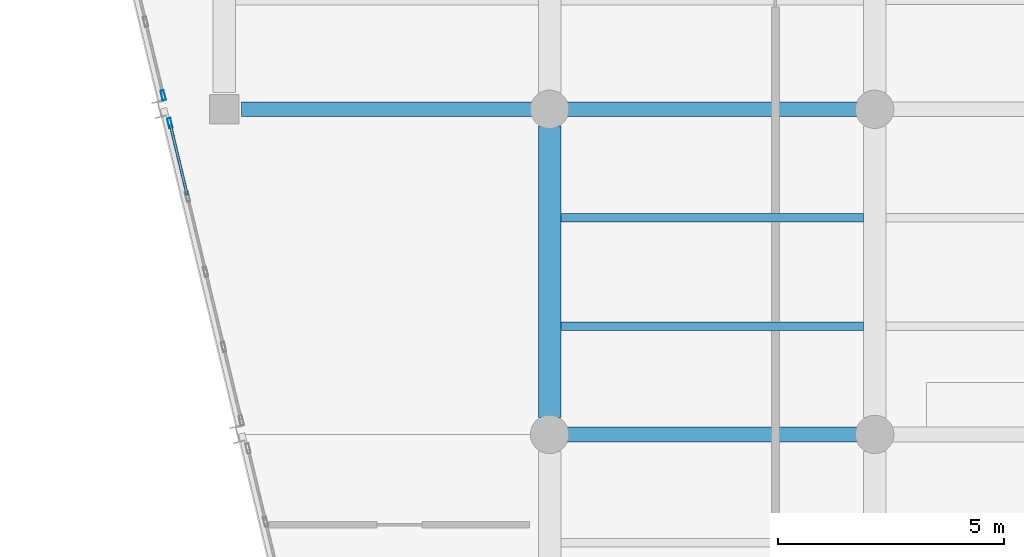
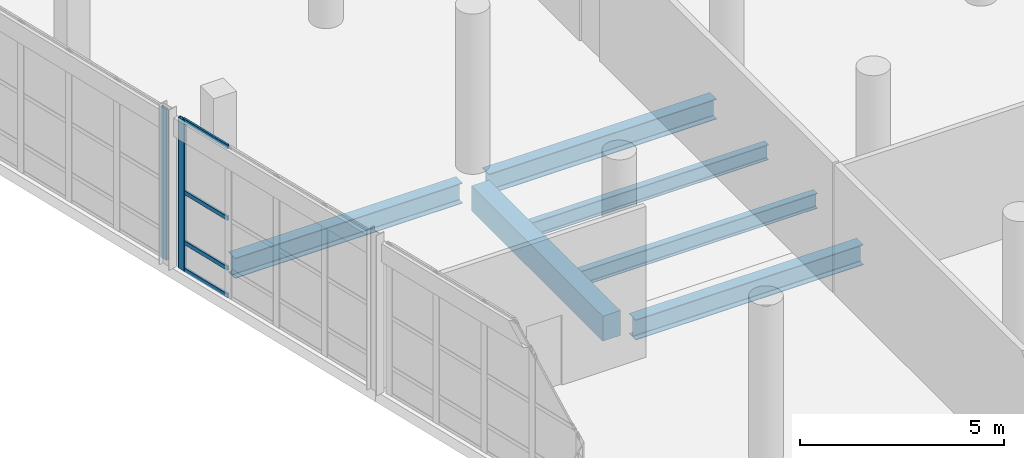
# One storey, part 68 of 127: 6 beams, 6 members, 2 elements without a shape of their own.
"""IFC4 building model written with IfcOpenShell, lengths in metres."""

import ifcopenshell
import ifcopenshell.guid

model = None  # the IFC model being written
_history = None  # IfcOwnerHistory: only IFC2X3 demands one
_inside = {}  # id of a spatial element -> (the spatial element, [elements in it])
_under = {}  # id of a project, library or spatial element -> (it, [spatial elements below it])
_declared = {}  # id of a project -> (the project, [libraries it declares])
_typed = {}  # id of a type object -> (the type object, [elements of that type])
_made_of = {}  # id of a material, layer set ... -> (it, [elements and type objects made of it])


def new_model(schema):
    """Start an empty IFC model of exactly this schema.

    Asked for "IFC4X3", IfcOpenShell would pick the latest addendum, in which some entities
    have other attributes; the version numbers below select the first issue.
    IFC2X3 requires an IfcOwnerHistory on every rooted entity: one is made here for all.
    """
    global model, _history
    if schema == "IFC4X3":
        model = ifcopenshell.file(schema_version=(4, 3, 0, 0))
    else:
        model = ifcopenshell.file(schema=schema)
    _inside.clear()
    _under.clear()
    _declared.clear()
    _typed.clear()
    _made_of.clear()
    _history = None
    if model.schema == "IFC2X3":
        org = make("IfcOrganization", Name="unknown")
        user = make(
            "IfcPersonAndOrganization",
            ThePerson=make("IfcPerson", FamilyName="unknown"),
            TheOrganization=org,
        )
        app = make(
            "IfcApplication",
            ApplicationDeveloper=org,
            Version="unknown",
            ApplicationFullName="unknown",
            ApplicationIdentifier="unknown",
        )
        _history = make(
            "IfcOwnerHistory",
            OwningUser=user,
            OwningApplication=app,
            ChangeAction="ADDED",
            CreationDate=0,
        )
    return model


def make(cls, **values):
    """One entity of the class cls with the attributes given. An attribute that is None is left unset."""
    return model.create_entity(
        cls, **{name: value for name, value in values.items() if value is not None}
    )


def rooted(cls, **values):
    """An entity with a GlobalId (a new one), such as an element, a storey or a relation."""
    return make(cls, GlobalId=ifcopenshell.guid.new(), OwnerHistory=_history, **values)


def si_unit(unit_type, name, prefix=None):
    """IfcSIUnit, for example si_unit("LENGTHUNIT", "METRE", prefix="MILLI")."""
    return make("IfcSIUnit", UnitType=unit_type, Prefix=prefix, Name=name)


def assignment(units):
    """IfcUnitAssignment: the units of a project."""
    return None if units is None else make("IfcUnitAssignment", Units=units)


def point(xyz):
    """IfcCartesianPoint."""
    return None if xyz is None else make("IfcCartesianPoint", Coordinates=xyz)


def direction(xyz):
    """IfcDirection."""
    return None if xyz is None else make("IfcDirection", DirectionRatios=xyz)


def frame(location, z_axis=None, x_axis=None):
    """IfcAxis2Placement3D, a coordinate frame: its origin and axes. An axis left out is left unset."""
    return make(
        "IfcAxis2Placement3D",
        Location=point(location),
        Axis=direction(z_axis),
        RefDirection=direction(x_axis),
    )


def frame_2d(location, x_axis=None):
    """IfcAxis2Placement2D, a coordinate frame in the plane: its origin and x axis."""
    return make(
        "IfcAxis2Placement2D", Location=point(location), RefDirection=direction(x_axis)
    )


def origin():
    """The frame at (0, 0, 0) with its axes left unset."""
    return frame((0.0, 0.0, 0.0))


def origin_2d():
    """The frame at (0, 0) in the plane with its x axis left unset."""
    return frame_2d((0.0, 0.0))


def place(relative_to, where):
    """IfcLocalPlacement: puts the frame where relative to a parent placement (None: the world)."""
    return make(
        "IfcLocalPlacement", PlacementRelTo=relative_to, RelativePlacement=where
    )


def context(
    kind, dimensions, precision=None, world=None, true_north=None, identifier=None
):
    """IfcGeometricRepresentationContext, for example the 3D "Model" context."""
    return make(
        "IfcGeometricRepresentationContext",
        ContextIdentifier=identifier,
        ContextType=kind,
        CoordinateSpaceDimension=dimensions,
        Precision=precision,
        WorldCoordinateSystem=world,
        TrueNorth=true_north,
    )


def subcontext(parent, identifier, kind, view, scale=None):
    """IfcGeometricRepresentationSubContext, for example "Body" below "Model"."""
    return make(
        "IfcGeometricRepresentationSubContext",
        ContextIdentifier=identifier,
        ContextType=kind,
        ParentContext=parent,
        TargetScale=scale,
        TargetView=view,
    )


def project(units=None, contexts=None):
    """IfcProject with its units and contexts."""
    return rooted(
        "IfcProject",
        Name="project",
        RepresentationContexts=contexts,
        UnitsInContext=assignment(units),
    )


def spatial(cls, under=None, at=None, **own):
    """A site, building, storey or space (cls), placed at a placement, below another one or the project."""
    s = rooted(cls, ObjectPlacement=at, **own)
    if under is not None:
        _under.setdefault(under.id(), (under, []))[1].append(s)
    return s


def profile(cls, at=None, kind="AREA", **sizes):
    """A parametric profile (cls). Its sizes go by their IFC names, for example OverallWidth=200.0."""
    return make(cls, ProfileType=kind, Position=at, **sizes)


def rectangle(**sizes):
    """IfcRectangleProfileDef."""
    return profile("IfcRectangleProfileDef", **sizes)


def hollow_rectangle(**sizes):
    """IfcRectangleHollowProfileDef."""
    return profile("IfcRectangleHollowProfileDef", **sizes)


def i_section(**sizes):
    """IfcIShapeProfileDef."""
    return profile("IfcIShapeProfileDef", **sizes)


def extrude(swept, where, along, depth):
    """IfcExtrudedAreaSolid: the profile swept, set in the frame where, extruded along a direction by depth."""
    return make(
        "IfcExtrudedAreaSolid",
        SweptArea=swept,
        Position=where,
        ExtrudedDirection=direction(along),
        Depth=depth,
    )


def shape(context_of_items, identifier, shape_type, items):
    """IfcShapeRepresentation: the items that make up one representation, for example the "Body"."""
    return make(
        "IfcShapeRepresentation",
        ContextOfItems=context_of_items,
        RepresentationIdentifier=identifier,
        RepresentationType=shape_type,
        Items=items,
    )


def material(Name=None, Category=None):
    """IfcMaterial."""
    return make("IfcMaterial", Name=Name, Category=Category)


def material_profile(
    of_material, cross_section, Name=None, Category=None, Priority=None
):
    """IfcMaterialProfile: a cross section and its material."""
    return make(
        "IfcMaterialProfile",
        Name=Name,
        Material=of_material,
        Profile=cross_section,
        Priority=Priority,
        Category=Category,
    )


def profile_set(profiles, Name=None, composite=None):
    """IfcMaterialProfileSet."""
    return make(
        "IfcMaterialProfileSet",
        Name=Name,
        MaterialProfiles=profiles,
        CompositeProfile=composite,
    )


def made_of(thing, what):
    """Note that an element or type object is made of a material, layer set ...; save() writes the relation."""
    if what is not None:
        _made_of.setdefault(what.id(), (what, []))[1].append(thing)
    return thing


def type_object(cls, material=None, **own):
    """A type object (cls), such as IfcWallType, which elements share."""
    return made_of(rooted(cls, **own), material)


def element(
    cls,
    number,
    at=None,
    inside=None,
    cuts=None,
    type_object=None,
    material=None,
    context=None,
    identifier="Body",
    shape_type=None,
    held_by="IfcProductDefinitionShape",
    body=None,
    shapes=None,
    **own,
):
    """One element of the class cls, such as IfcWall. Its Tag is "e" and its number.

    at: its placement. inside: the storey or other place that contains it. cuts: it is an
    opening in that element (IfcRelVoidsElement). A single representation is given by context,
    identifier, shape_type and body (its items); several are given by shapes. held_by: the class
    of the entity that holds the representations. save() writes the other relations.
    """
    e = rooted(cls, Tag="e%d" % number, ObjectPlacement=at, **own)
    if body is not None:
        shapes = [shape(context, identifier, shape_type, body)]
    if shapes is not None:
        e.Representation = make(held_by, Representations=shapes)
    if inside is not None:
        _inside.setdefault(inside.id(), (inside, []))[1].append(e)
    if cuts is not None:
        rooted(
            "IfcRelVoidsElement", RelatingBuildingElement=cuts, RelatedOpeningElement=e
        )
    if type_object is not None:
        _typed.setdefault(type_object.id(), (type_object, []))[1].append(e)
    return made_of(e, material)


def aggregate(whole, parts):
    """IfcRelAggregates: a whole, such as a stair, and the parts it consists of."""
    return rooted("IfcRelAggregates", RelatingObject=whole, RelatedObjects=parts)


def save(model, path):
    """Write the relations noted so far, then the file.

    IfcRelAggregates (storeys below a building ...), IfcRelContainedInSpatialStructure (elements
    in a storey), IfcRelDefinesByType, IfcRelAssociatesMaterial and IfcRelDeclares: one each for
    every whole, place, type object, material and project.
    """
    for whole, parts in _under.values():
        aggregate(whole, parts)
    for where, things in _inside.values():
        rooted(
            "IfcRelContainedInSpatialStructure",
            RelatedElements=things,
            RelatingStructure=where,
        )
    for kind, things in _typed.values():
        rooted("IfcRelDefinesByType", RelatedObjects=things, RelatingType=kind)
    for what, things in _made_of.values():
        rooted("IfcRelAssociatesMaterial", RelatedObjects=things, RelatingMaterial=what)
    for by, libraries in _declared.values():
        rooted("IfcRelDeclares", RelatingContext=by, RelatedDefinitions=libraries)
    model.write(path)


model = new_model("IFC4")

# Units and contexts
model_context = context("Model", 3, precision=1e-05, world=origin(), true_north=direction((0.0, 1.0)))
body_context = subcontext(model_context, "Body", "Model", "MODEL_VIEW")
ifc_project = project(units=[si_unit("LENGTHUNIT", "METRE"), si_unit("AREAUNIT", "SQUARE_METRE"), si_unit("VOLUMEUNIT", "CUBIC_METRE"), si_unit("PLANEANGLEUNIT", "RADIAN"), si_unit("MASSUNIT", "GRAM", prefix="KILO")], contexts=[model_context])

# Site, building, storey
site_placement = place(None, origin())
site = spatial("IfcSite", under=ifc_project, at=site_placement, CompositionType="ELEMENT")
building_placement = place(site_placement, origin())
building = spatial("IfcBuilding", under=site, at=building_placement, Name="Kalmorath City Hall", CompositionType="ELEMENT")
storey_placement = place(building_placement, frame((0.0, 0.0, 5.39990234375)))
storey = spatial("IfcBuildingStorey", under=building, at=storey_placement, Name="L01", CompositionType="ELEMENT", Elevation=5.39990234375)

# Beam
ifc_material_1 = material(Name="Concrete C40/50", Category="concrete")
ifc_material_profile_1 = material_profile(ifc_material_1, rectangle(XDim=0.5, YDim=0.75, at=origin_2d()), Name="RC-BM-500X750")
ifc_profile_set_1 = profile_set([ifc_material_profile_1], Name="Concrete C40/50")
beam_type_1 = type_object("IfcBeamType", Name="Concrete floor beam 500x750", PredefinedType="BEAM", material=ifc_profile_set_1)
beam_placement = place(storey_placement, frame((136.800048828125, 72.375, -0.698974609375), z_axis=(0.0, 1.0, 0.0), x_axis=(-1.0, 0.0, 0.0)))
element("IfcBeam", 1, at=beam_placement, inside=storey, type_object=beam_type_1, Name="L01 girder CB3 Y20/11-12", PredefinedType="BEAM", context=body_context, shape_type="SweptSolid", body=[
    extrude(rectangle(XDim=0.5, YDim=0.75, at=origin_2d()), origin(), (0.0, 0.0, 1.0), 6.449951171875),
])

# Curtain wall, members
ifc_material_2 = material(Name="Anodised aluminium and laminated glass", Category="aluminium")
curtain_wall_type = type_object("IfcCurtainWallType", Name="Unitised hurricane curtain wall 6849x4520 M1650", PredefinedType="NOTDEFINED", material=ifc_material_2)
curtain_wall_1_placement = place(storey_placement, origin())
curtain_wall_1 = element("IfcCurtainWall", 2, at=curtain_wall_1_placement, inside=storey, type_object=curtain_wall_type, Name="L01 curtain wall CW-68X45M16 #98", PredefinedType="NOTDEFINED")
ifc_material_3 = material(Name="Anodised aluminium framing", Category="aluminium")
ifc_material_profile_2 = material_profile(ifc_material_3, hollow_rectangle(XDim=0.06005859375, YDim=0.1298828125, WallThickness=0.00341796875, InnerFilletRadius=0.00341796875, OuterFilletRadius=0.007080078125, at=origin_2d()), Name="ALU-TRN-130X60X3.5")
ifc_profile_set_2 = profile_set([ifc_material_profile_2], Name="Anodised aluminium framing")
member_type_1 = type_object("IfcMemberType", Name="Curtain-wall courtyard transom 130x60", PredefinedType="USERDEFINED", material=ifc_profile_set_2)
member_1_placement = place(storey_placement, frame((128.777099609375, 77.301513671875, 0.030029296875), z_axis=(-0.233332550128, 0.972396997656, 0.0), x_axis=(-0.972396997656, -0.233332550128, 0.0)))
member_1 = element("IfcMember", 3, at=member_1_placement, type_object=member_type_1, Name="CW-68X45M16 transom 4.1", ObjectType="TRANSOM", PredefinedType="USERDEFINED", context=body_context, shape_type="SweptSolid", body=[
    extrude(hollow_rectangle(XDim=0.06005859375, YDim=0.1298828125, WallThickness=0.00341796875, InnerFilletRadius=0.00341796875, OuterFilletRadius=0.007080078125, at=origin_2d()), origin(), (0.0, 0.0, 1.0), 1.599853515625),
])
member_2_placement = place(storey_placement, frame((128.777099609375, 77.301513671875, 0.85009765625), z_axis=(-0.233332550128, 0.972396997656, 0.0), x_axis=(-0.972396997656, -0.233332550128, 0.0)))
member_2 = element("IfcMember", 4, at=member_2_placement, type_object=member_type_1, Name="CW-68X45M16 transom 4.2", ObjectType="TRANSOM", PredefinedType="USERDEFINED", context=body_context, shape_type="SweptSolid", body=[
    extrude(hollow_rectangle(XDim=0.06005859375, YDim=0.1298828125, WallThickness=0.00341796875, InnerFilletRadius=0.00341796875, OuterFilletRadius=0.007080078125, at=origin_2d()), origin(), (0.0, 0.0, 1.0), 1.599853515625),
])
member_3_placement = place(storey_placement, frame((128.777099609375, 77.301513671875, 2.35009765625), z_axis=(-0.233332550128, 0.972396997656, 0.0), x_axis=(-0.972396997656, -0.233332550128, 0.0)))
member_3 = element("IfcMember", 5, at=member_3_placement, type_object=member_type_1, Name="CW-68X45M16 transom 4.3", ObjectType="TRANSOM", PredefinedType="USERDEFINED", context=body_context, shape_type="SweptSolid", body=[
    extrude(hollow_rectangle(XDim=0.06005859375, YDim=0.1298828125, WallThickness=0.00341796875, InnerFilletRadius=0.00341796875, OuterFilletRadius=0.007080078125, at=origin_2d()), origin(), (0.0, 0.0, 1.0), 1.599853515625),
])
member_4_placement = place(storey_placement, frame((128.777099609375, 77.301513671875, 4.489990234375), z_axis=(-0.233332550128, 0.972396997656, 0.0), x_axis=(-0.972396997656, -0.233332550128, 0.0)))
member_4 = element("IfcMember", 6, at=member_4_placement, type_object=member_type_1, Name="CW-68X45M16 transom 4.4", ObjectType="TRANSOM", PredefinedType="USERDEFINED", context=body_context, shape_type="SweptSolid", body=[
    extrude(hollow_rectangle(XDim=0.06005859375, YDim=0.1298828125, WallThickness=0.00341796875, InnerFilletRadius=0.00341796875, OuterFilletRadius=0.007080078125, at=origin_2d()), origin(), (0.0, 0.0, 1.0), 1.599853515625),
])
ifc_material_4 = material(Name="Anodised aluminium framing", Category="aluminium")
ifc_material_profile_3 = material_profile(ifc_material_4, hollow_rectangle(XDim=0.074951171875, YDim=0.219970703125, WallThickness=0.00390625, InnerFilletRadius=0.00390625, OuterFilletRadius=0.008056640625, at=origin_2d()), Name="ALU-MUL-220X75X4")
ifc_profile_set_3 = profile_set([ifc_material_profile_3], Name="Anodised aluminium framing")
member_type_2 = type_object("IfcMemberType", Name="Curtain-wall primary mullion 220x75", PredefinedType="MULLION", material=ifc_profile_set_3)
member_5_placement = place(storey_placement, frame((128.39501953125, 78.8935546875, 0.0), z_axis=(0.0, 0.0, 1.0), x_axis=(-0.97236741933, -0.233455781305, 0.0)))
member_5 = element("IfcMember", 7, at=member_5_placement, type_object=member_type_2, Name="CW-68X45M16 mullion 5", PredefinedType="MULLION", context=body_context, shape_type="SweptSolid", body=[
    extrude(hollow_rectangle(XDim=0.074951171875, YDim=0.219970703125, WallThickness=0.00390625, InnerFilletRadius=0.00390625, OuterFilletRadius=0.008056640625, at=origin_2d()), origin(), (0.0, 0.0, 1.0), 4.52001953125),
])
aggregate(curtain_wall_1, [member_5, member_1, member_2, member_3, member_4])

# Curtain wall, member
curtain_wall_2_placement = place(storey_placement, origin())
curtain_wall_2 = element("IfcCurtainWall", 8, at=curtain_wall_2_placement, inside=storey, type_object=curtain_wall_type, Name="L01 curtain wall CW-68X45M16 #99", PredefinedType="NOTDEFINED")
member_6_placement = place(storey_placement, frame((128.247802734375, 79.50634765625, 0.0), z_axis=(0.0, 0.0, 1.0), x_axis=(-0.97236741933, -0.233455781305, 0.0)))
member_6 = element("IfcMember", 9, at=member_6_placement, type_object=member_type_2, Name="CW-68X45M16 mullion 1", PredefinedType="MULLION", context=body_context, shape_type="SweptSolid", body=[
    extrude(hollow_rectangle(XDim=0.074951171875, YDim=0.219970703125, WallThickness=0.00390625, InnerFilletRadius=0.00390625, OuterFilletRadius=0.008056640625, at=origin_2d()), origin(), (0.0, 0.0, 1.0), 4.52001953125),
])
aggregate(curtain_wall_2, [member_6])

# Beams
ifc_material_5 = material(Name="Steel ASTM A992 Grade 50", Category="steel")
ifc_material_profile_4 = material_profile(ifc_material_5, i_section(OverallWidth=0.19091796875, OverallDepth=0.4599609375, WebThickness=0.010009765625, FlangeThickness=0.01611328125, FilletRadius=0.013916015625, at=origin_2d()), Name="W18X55")
ifc_profile_set_4 = profile_set([ifc_material_profile_4], Name="Steel ASTM A992 Grade 50")
beam_type_2 = type_object("IfcBeamType", Name="Steel composite joist W18X55", PredefinedType="JOIST", material=ifc_profile_set_4)
for number, where, z_axis, x_axis, name in (
    (10, (137.050048828125, 74.39990234375, -0.553955078125), (1.0, 0.0, 0.0), (0.0, 1.0, 0.0), "L01 joist SJ2 20.11.1"),
    (11, (137.050048828125, 76.800048828125, -0.553955078125), (1.0, 0.0, 0.0), (0.0, 1.0, 0.0), "L01 joist SJ2 20.11.2"),
):
    element("IfcBeam", number, at=place(storey_placement, frame(where, z_axis=z_axis, x_axis=x_axis)), inside=storey, type_object=beam_type_2, Name=name, PredefinedType="JOIST", context=body_context, shape_type="SweptSolid", body=[
        extrude(i_section(OverallWidth=0.19091796875, OverallDepth=0.4599609375, WebThickness=0.010009765625, FlangeThickness=0.01611328125, FilletRadius=0.013916015625, at=origin_2d()), origin(), (0.0, 0.0, 1.0), 6.699951171875),
    ])
ifc_material_6 = material(Name="Steel ASTM A992 Grade 50", Category="steel")
ifc_material_profile_5 = material_profile(ifc_material_6, i_section(OverallWidth=0.323974609375, OverallDepth=0.611083984375, WebThickness=0.0126953125, FlangeThickness=0.01904296875, FilletRadius=0.01611328125, at=origin_2d()), Name="W24X104")
ifc_profile_set_5 = profile_set([ifc_material_profile_5], Name="Steel ASTM A992 Grade 50")
beam_type_3 = type_object("IfcBeamType", Name="Steel floor girder W24X104", PredefinedType="BEAM", material=ifc_profile_set_5)
for number, where, z_axis, x_axis, name in (
    (12, (137.175048828125, 72.0, -0.62939453125), (1.0, 0.0, 0.0), (0.0, 1.0, 0.0), "L01 girder SG7 X20-21/11"),
    (13, (129.97509765625, 79.199951171875, -0.62939453125), (1.0, 0.0, 0.0), (0.0, 1.0, 0.0), "L01 girder SG7 X19-20/12"),
    (14, (137.175048828125, 79.199951171875, -0.62939453125), (1.0, 0.0, 0.0), (0.0, 1.0, 0.0), "L01 girder SG7 X20-21/12"),
):
    element("IfcBeam", number, at=place(storey_placement, frame(where, z_axis=z_axis, x_axis=x_axis)), inside=storey, type_object=beam_type_3, Name=name, PredefinedType="BEAM", context=body_context, shape_type="SweptSolid", body=[
        extrude(i_section(OverallWidth=0.323974609375, OverallDepth=0.611083984375, WebThickness=0.0126953125, FlangeThickness=0.01904296875, FilletRadius=0.01611328125, at=origin_2d()), origin(), (0.0, 0.0, 1.0), 6.449951171875),
    ])

save(model, "model.ifc")
